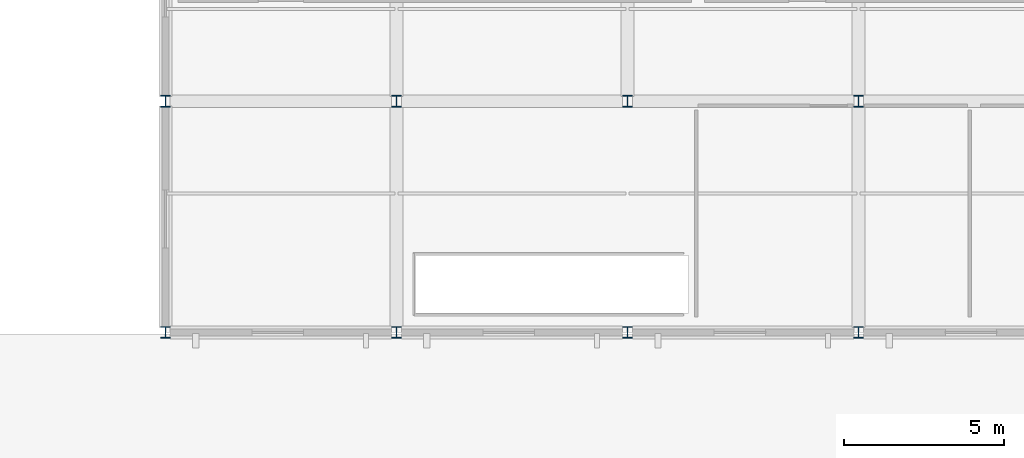
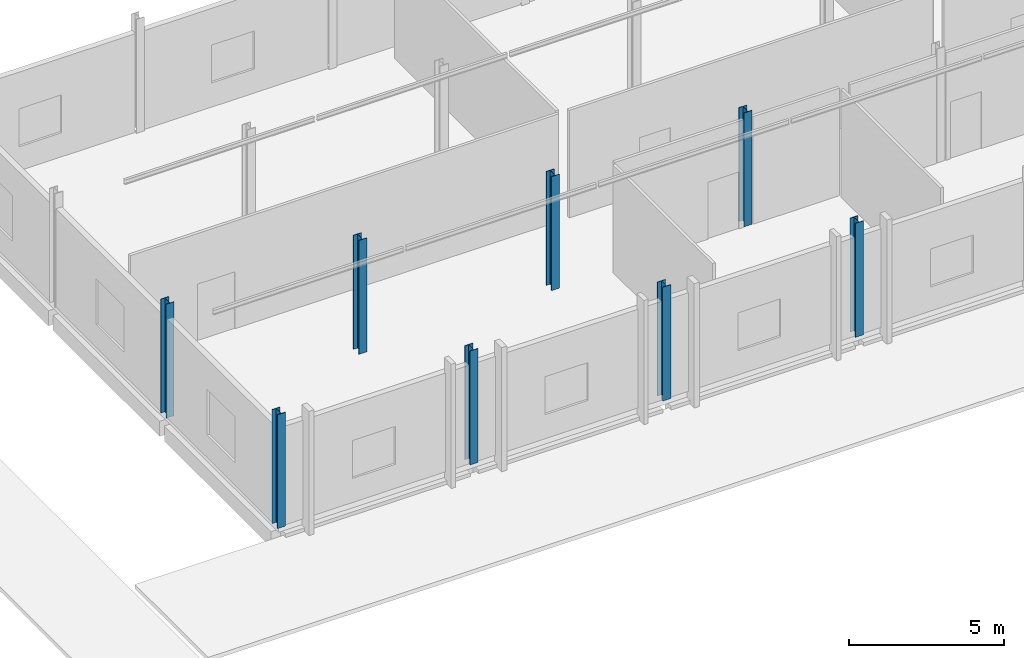
# One storey, part 10 of 110: 8 columns.
"""IFC4 building model written with IfcOpenShell, lengths in metres."""

from ifc_helpers import new_model, si_unit, direction, frame, origin, origin_2d, place, context, subcontext, project, spatial, i_section, extrude, material, material_profile, profile_set, type_object, element, save


model = new_model("IFC4")

# Units and contexts
model_context = context("Model", 3, precision=1e-05, world=origin(), true_north=direction((0.0, 1.0)))
body_context = subcontext(model_context, "Body", "Model", "MODEL_VIEW")
ifc_project = project(units=[si_unit("LENGTHUNIT", "METRE"), si_unit("AREAUNIT", "SQUARE_METRE"), si_unit("VOLUMEUNIT", "CUBIC_METRE"), si_unit("PLANEANGLEUNIT", "RADIAN"), si_unit("MASSUNIT", "GRAM", prefix="KILO")], contexts=[model_context])

# Site, building, storey
site_placement = place(None, origin())
site = spatial("IfcSite", under=ifc_project, at=site_placement, CompositionType="ELEMENT")
building_placement = place(site_placement, origin())
building = spatial("IfcBuilding", under=site, at=building_placement, Name="Suanplinth Sawtooth Commons", CompositionType="ELEMENT")
storey_placement = place(building_placement, frame((0.0, 0.0, 4.5)))
storey = spatial("IfcBuildingStorey", under=building, at=storey_placement, Name="L01", CompositionType="ELEMENT", Elevation=4.5)

# Columns
ifc_material = material(Name="Steel S355JR", Category="steel")
ifc_material_profile = material_profile(ifc_material, i_section(OverallWidth=0.300048828125, OverallDepth=0.360107421875, WebThickness=0.012451171875, FlangeThickness=0.0224609375, at=origin_2d()), Name="HEB 360")
ifc_profile_set = profile_set([ifc_material_profile], Name="Steel S355JR")
column_type = type_object("IfcColumnType", Name="C-10", PredefinedType="COLUMN", material=ifc_profile_set)
for number, where, z_axis, x_axis, name in (
    (1, (129.60009765625, 50.39990234375, 0.0), (0.0, 0.0, 1.0), (1.0, 0.0, 0.0), "Column L01 19/H"),
    (2, (129.60009765625, 57.60009765625, 0.0), (0.0, 0.0, 1.0), (1.0, 0.0, 0.0), "Column L01 19/J"),
    (3, (136.800048828125, 50.39990234375, 0.0), (0.0, 0.0, 1.0), (1.0, 0.0, 0.0), "Column L01 20/H"),
    (4, (136.800048828125, 57.60009765625, 0.0), (0.0, 0.0, 1.0), (1.0, 0.0, 0.0), "Column L01 20/J"),
    (5, (144.0, 50.39990234375, 0.0), (0.0, 0.0, 1.0), (1.0, 0.0, 0.0), "Column L01 21/H"),
    (6, (144.0, 57.60009765625, 0.0), (0.0, 0.0, 1.0), (1.0, 0.0, 0.0), "Column L01 21/J"),
    (7, (151.199951171875, 50.39990234375, 0.0), (0.0, 0.0, 1.0), (1.0, 0.0, 0.0), "Column L01 22/H"),
    (8, (151.199951171875, 57.60009765625, 0.0), (0.0, 0.0, 1.0), (1.0, 0.0, 0.0), "Column L01 22/J"),
):
    element("IfcColumn", number, at=place(storey_placement, frame(where, z_axis=z_axis, x_axis=x_axis)), inside=storey, type_object=column_type, Name=name, PredefinedType="COLUMN", context=body_context, shape_type="SweptSolid", body=[
        extrude(i_section(OverallWidth=0.300048828125, OverallDepth=0.360107421875, WebThickness=0.012451171875, FlangeThickness=0.0224609375, at=origin_2d()), origin(), (0.0, 0.0, 1.0), 4.5),
    ])

save(model, "model.ifc")
